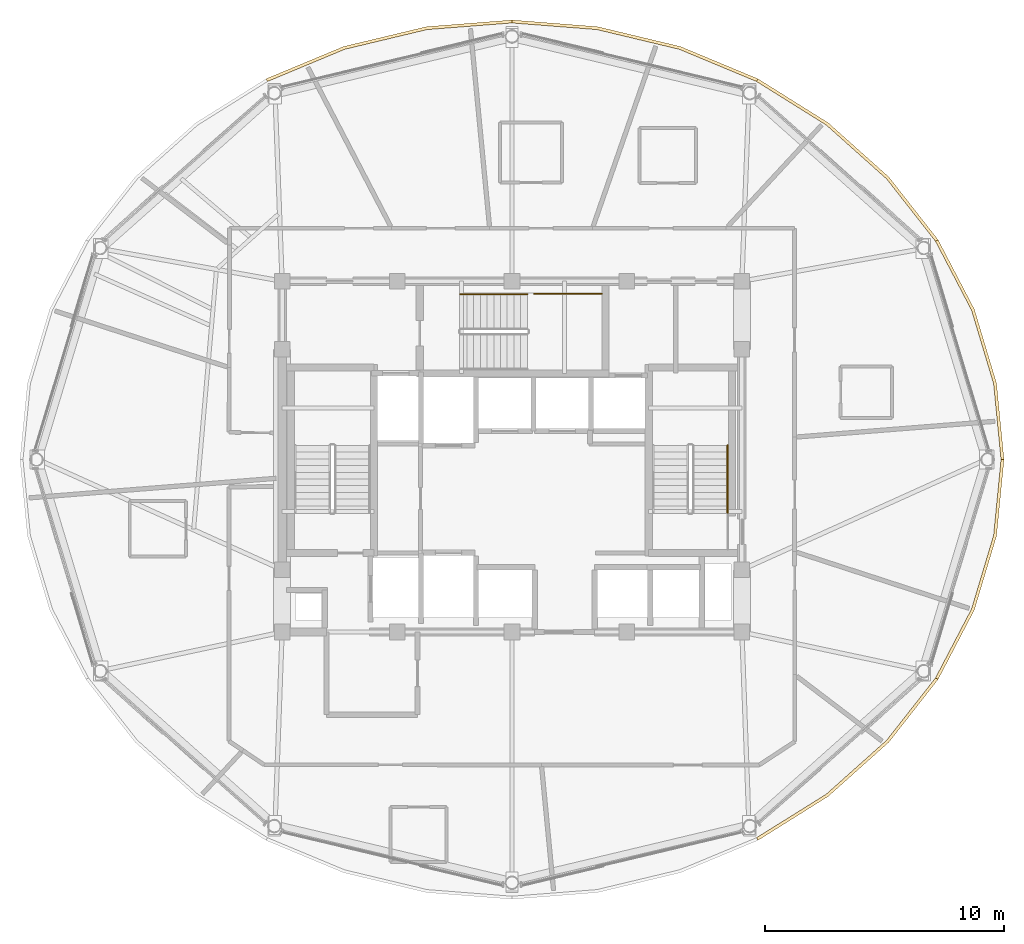
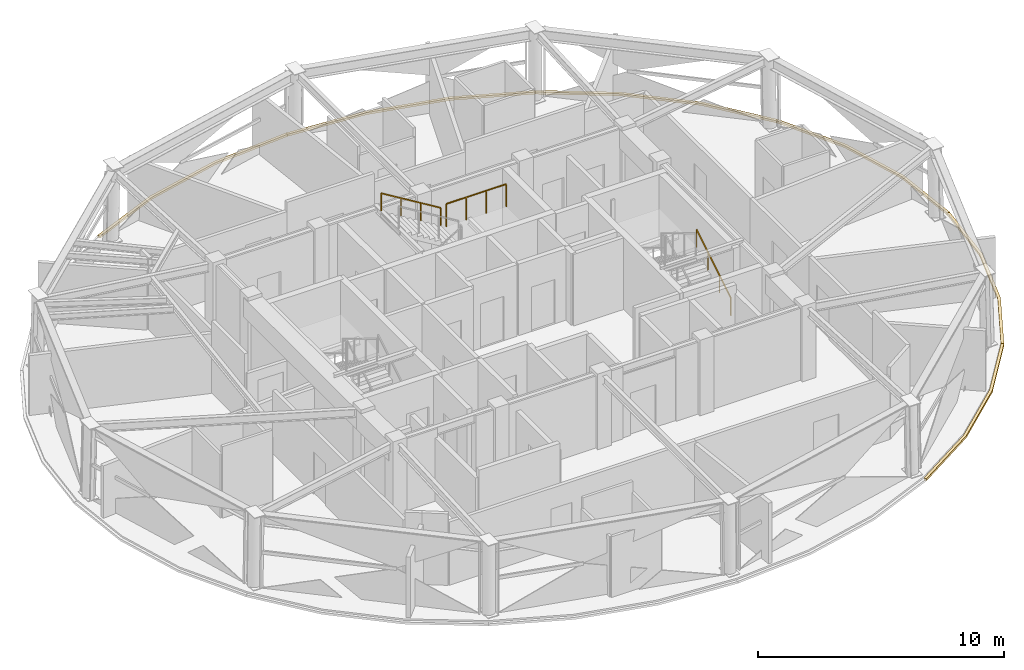
# One storey, part 15 of 15: 6 coverings, 3 railings.
"""IFC4 building model written with IfcOpenShell, lengths in metres."""

from ifc_helpers import new_model, si_unit, direction, frame, origin, origin_2d, place, context, subcontext, project, spatial, polyline, rectangle, outline, extrude, material, layer, layer_set, type_object, element, save


model = new_model("IFC4")

# Units and contexts
model_context = context("Model", 3, precision=1e-05, world=origin(), true_north=direction((0.0, 1.0)))
body_context = subcontext(model_context, "Body", "Model", "MODEL_VIEW")
ifc_project = project(units=[si_unit("LENGTHUNIT", "METRE"), si_unit("AREAUNIT", "SQUARE_METRE"), si_unit("VOLUMEUNIT", "CUBIC_METRE"), si_unit("PLANEANGLEUNIT", "RADIAN"), si_unit("MASSUNIT", "GRAM", prefix="KILO")], contexts=[model_context])

# Site, building, storey
site_placement = place(None, origin())
site = spatial("IfcSite", under=ifc_project, at=site_placement, CompositionType="ELEMENT")
building_placement = place(site_placement, origin())
building = spatial("IfcBuilding", under=site, at=building_placement, Name="Vantalir Tower", CompositionType="ELEMENT")
storey_placement = place(building_placement, frame((0.0, 0.0, 263.85009765625)))
storey = spatial("IfcBuildingStorey", under=building, at=storey_placement, Name="L66", CompositionType="ELEMENT", Elevation=263.85009765625)

# Coverings
ifc_material_1 = material(Name="Anodised champagne aluminium sill fascia", Category="aluminium")
ifc_layer = layer(ifc_material_1, 0.125)
ifc_layer_set = layer_set([ifc_layer], Name="Anodised champagne aluminium sill fascia")
covering_type = type_object("IfcCoveringType", Name="COV-SLAB-FASCIA-125", PredefinedType="CLADDING", material=ifc_layer_set)
covering_1_placement = place(storey_placement, frame((0.0, 0.0, -0.18017578125)))
element("IfcCovering", 1, at=covering_1_placement, inside=storey, type_object=covering_type, Name="L66 Perimeter Slab-Edge Sill Fascia 01", PredefinedType="CLADDING", context=body_context, shape_type="SweptSolid", body=[
    extrude(outline(polyline([(52.044921875, 25.0), (51.73291015625, 28.18798828125), (50.805908203125, 31.278076171875), (49.2919921875, 34.177978515625), (49.18408203125, 34.115966796875), (50.68896484375, 31.236083984375), (51.610107421875, 28.166015625), (51.919921875, 25.0), (52.044921875, 25.0)])), origin(), (0.0, 0.0, 1.0), 0.10498046875),
])
covering_2_placement = place(storey_placement, frame((0.0, 0.0, -0.18017578125)))
element("IfcCovering", 2, at=covering_2_placement, inside=storey, type_object=covering_type, Name="L66 Perimeter Slab-Edge Sill Fascia 02", PredefinedType="CLADDING", context=body_context, shape_type="SweptSolid", body=[
    extrude(outline(polyline([(49.2919921875, 34.177978515625), (47.238037109375, 36.800048828125), (44.7060546875, 39.06201171875), (41.77294921875, 40.89794921875), (41.7099609375, 40.7890625), (44.6259765625, 38.967041015625), (47.14306640625, 36.718994140625), (49.18408203125, 34.115966796875), (49.2919921875, 34.177978515625)])), origin(), (0.0, 0.0, 1.0), 0.10498046875),
])
covering_3_placement = place(storey_placement, frame((0.0, 0.0, -0.18017578125)))
element("IfcCovering", 3, at=covering_3_placement, inside=storey, type_object=covering_type, Name="L66 Perimeter Slab-Edge Sill Fascia 03", PredefinedType="CLADDING", context=body_context, shape_type="SweptSolid", body=[
    extrude(outline(polyline([(41.77294921875, 40.89794921875), (38.527099609375, 42.25), (35.068115234375, 43.077880859375), (31.5, 43.35693359375), (31.5, 43.23193359375), (35.0458984375, 42.955078125), (38.48388671875, 42.132080078125), (41.7099609375, 40.7890625), (41.77294921875, 40.89794921875)])), origin(), (0.0, 0.0, 1.0), 0.10498046875),
])
covering_4_placement = place(storey_placement, frame((0.0, 0.0, -0.18017578125)))
element("IfcCovering", 4, at=covering_4_placement, inside=storey, type_object=covering_type, Name="L66 Perimeter Slab-Edge Sill Fascia 04", PredefinedType="CLADDING", context=body_context, shape_type="SweptSolid", body=[
    extrude(outline(polyline([(31.5, 43.35693359375), (27.931884765625, 43.077880859375), (24.472900390625, 42.25), (21.22802734375, 40.89794921875), (21.2900390625, 40.7890625), (24.51611328125, 42.132080078125), (27.9541015625, 42.955078125), (31.5, 43.23193359375), (31.5, 43.35693359375)])), origin(), (0.0, 0.0, 1.0), 0.10498046875),
])
covering_5_placement = place(storey_placement, frame((0.0, 0.0, -0.18017578125)))
element("IfcCovering", 5, at=covering_5_placement, inside=storey, type_object=covering_type, Name="L66 Perimeter Slab-Edge Sill Fascia 11", PredefinedType="CLADDING", context=body_context, shape_type="SweptSolid", body=[
    extrude(outline(polyline([(41.77294921875, 9.10205078125), (44.7060546875, 10.93798828125), (47.238037109375, 13.199951171875), (49.2919921875, 15.821044921875), (49.18408203125, 15.884033203125), (47.14306640625, 13.281005859375), (44.6259765625, 11.032958984375), (41.7099609375, 9.2109375), (41.77294921875, 9.10205078125)])), origin(), (0.0, 0.0, 1.0), 0.10498046875),
])
covering_6_placement = place(storey_placement, frame((0.0, 0.0, -0.18017578125)))
element("IfcCovering", 6, at=covering_6_placement, inside=storey, type_object=covering_type, Name="L66 Perimeter Slab-Edge Sill Fascia 12", PredefinedType="CLADDING", context=body_context, shape_type="SweptSolid", body=[
    extrude(outline(polyline([(49.2919921875, 15.821044921875), (50.805908203125, 18.721923828125), (51.73291015625, 21.81201171875), (52.044921875, 25.0), (51.919921875, 25.0), (51.610107421875, 21.833984375), (50.68896484375, 18.763916015625), (49.18408203125, 15.884033203125), (49.2919921875, 15.821044921875)])), origin(), (0.0, 0.0, 1.0), 0.10498046875),
])

# Railings
ifc_material_2 = material(Name="Anodised aluminium and stainless steel guard", Category="steel")
railing_type_1 = type_object("IfcRailingType", Name="RAL-GUARD-1120", PredefinedType="GUARDRAIL", material=ifc_material_2)
railing_1_placement = place(storey_placement, frame((32.419921875, 31.929931640625, 1.875)))
element("IfcRailing", 7, at=railing_1_placement, inside=storey, type_object=railing_type_1, Name="L66 Stair ST3 Half-Landing Slot Guard", PredefinedType="GUARDRAIL", context=body_context, shape_type="SweptSolid", body=[
    extrude(rectangle(XDim=0.048095703125, YDim=0.048095703125, at=origin_2d()), frame((0.0, 0.0, 1.1259765625), z_axis=(1.0, 0.0, 0.0), x_axis=(0.0, 1.0, 0.0)), (0.0, 0.0, 1.0), 2.820068359375),
    extrude(rectangle(XDim=0.0419921875, YDim=0.0419921875, at=origin_2d()), origin(), (0.0, 0.0, 1.0), 1.101806640625),
    extrude(rectangle(XDim=0.0419921875, YDim=0.0419921875, at=origin_2d()), frame((0.93994140625, 0.0, 0.0)), (0.0, 0.0, 1.0), 1.101806640625),
    extrude(rectangle(XDim=0.0419921875, YDim=0.0419921875, at=origin_2d()), frame((1.880126953125, 0.0, 0.0)), (0.0, 0.0, 1.0), 1.101806640625),
    extrude(rectangle(XDim=0.0419921875, YDim=0.0419921875, at=origin_2d()), frame((2.820068359375, 0.0, 0.0)), (0.0, 0.0, 1.0), 1.101806640625),
])
ifc_material_3 = material(Name="Brushed stainless steel tubular handrail", Category="steel")
railing_type_2 = type_object("IfcRailingType", Name="RAL-HANDRAIL-900", PredefinedType="HANDRAIL", material=ifc_material_3)
railing_2_placement = place(storey_placement, frame((40.5, 22.7900390625, 0.17041015625)))
element("IfcRailing", 8, at=railing_2_placement, inside=storey, type_object=railing_type_2, Name="L66 ST2 stair handrail 1", PredefinedType="HANDRAIL", context=body_context, shape_type="SweptSolid", body=[
    extrude(rectangle(XDim=0.048095703125, YDim=0.048095703125, at=origin_2d()), frame((0.0, 0.0, 0.8759765625), z_axis=(0.0, 0.854169791009, 0.51999420009), x_axis=(-1.0, 0.0, 0.0)), (0.0, 0.0, 1.0), 3.278076171875),
    extrude(rectangle(XDim=0.0419921875, YDim=0.0419921875, at=origin_2d()), origin(), (0.0, 0.0, 1.0), 0.851806640625),
    extrude(rectangle(XDim=0.0419921875, YDim=0.0419921875, at=origin_2d()), frame((0.0, 0.933349609375, 0.568115234375)), (0.0, 0.0, 1.0), 0.851806640625),
    extrude(rectangle(XDim=0.0419921875, YDim=0.0419921875, at=origin_2d()), frame((0.0, 1.86669921875, 1.136474609375)), (0.0, 0.0, 1.0), 0.851806640625),
    extrude(rectangle(XDim=0.0419921875, YDim=0.0419921875, at=origin_2d()), frame((0.0, 2.800048828125, 1.70458984375)), (0.0, 0.0, 1.0), 0.851806640625),
])
railing_3_placement = place(storey_placement, frame((32.139892578125, 31.89990234375, 2.04541015625)))
element("IfcRailing", 9, at=railing_3_placement, inside=storey, type_object=railing_type_2, Name="L66 ST3 stair handrail 2", PredefinedType="HANDRAIL", context=body_context, shape_type="SweptSolid", body=[
    extrude(rectangle(XDim=0.048095703125, YDim=0.048095703125, at=origin_2d()), frame((0.0, 0.0, 0.8759765625), z_axis=(-0.854149651119, 0.0, 0.520027281489), x_axis=(0.0, -1.0, 0.0)), (0.0, 0.0, 1.0), 3.27783203125),
    extrude(rectangle(XDim=0.0419921875, YDim=0.0419921875, at=origin_2d()), origin(), (0.0, 0.0, 1.0), 0.851806640625),
    extrude(rectangle(XDim=0.0419921875, YDim=0.0419921875, at=origin_2d()), frame((-0.933349609375, 0.0, 0.568115234375)), (0.0, 0.0, 1.0), 0.851806640625),
    extrude(rectangle(XDim=0.0419921875, YDim=0.0419921875, at=origin_2d()), frame((-1.866455078125, 0.0, 1.136474609375)), (0.0, 0.0, 1.0), 0.851806640625),
    extrude(rectangle(XDim=0.0419921875, YDim=0.0419921875, at=origin_2d()), frame((-2.7998046875, 0.0, 1.70458984375)), (0.0, 0.0, 1.0), 0.851806640625),
])

save(model, "model.ifc")
